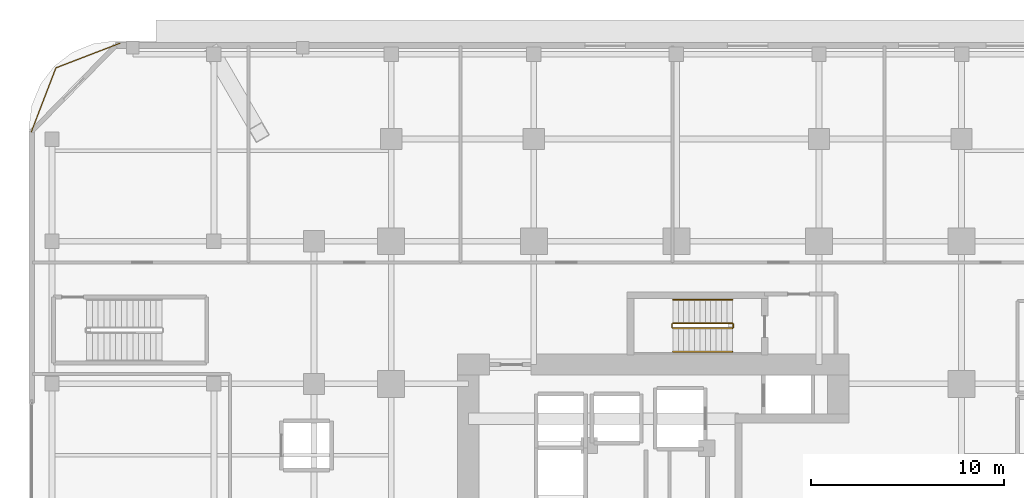
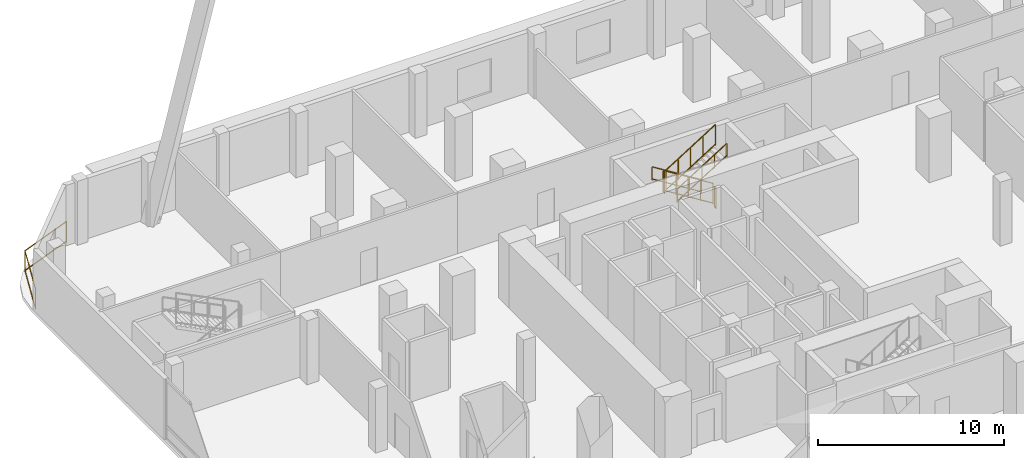
# One storey, part 16 of 19: 7 railings.
"""IFC4 building model written with IfcOpenShell, lengths in metres."""

from ifc_helpers import new_model, si_unit, direction, frame, origin, origin_2d, place, context, subcontext, project, spatial, rectangle, extrude, material, type_object, element, save


model = new_model("IFC4")

# Units and contexts
model_context = context("Model", 3, precision=1e-05, world=origin(), true_north=direction((0.0, 1.0)))
body_context = subcontext(model_context, "Body", "Model", "MODEL_VIEW")
ifc_project = project(units=[si_unit("LENGTHUNIT", "METRE"), si_unit("AREAUNIT", "SQUARE_METRE"), si_unit("VOLUMEUNIT", "CUBIC_METRE"), si_unit("PLANEANGLEUNIT", "RADIAN"), si_unit("MASSUNIT", "GRAM", prefix="KILO")], contexts=[model_context])

# Site, building, storey
site_placement = place(None, origin())
site = spatial("IfcSite", under=ifc_project, at=site_placement, CompositionType="ELEMENT")
building_placement = place(site_placement, origin())
building = spatial("IfcBuilding", under=site, at=building_placement, Name="Khorvyn Point Tower", CompositionType="ELEMENT")
storey_placement = place(building_placement, frame((0.0, 0.0, 4.800048828125)))
storey = spatial("IfcBuildingStorey", under=building, at=storey_placement, Name="L02", CompositionType="ELEMENT", Elevation=4.800048828125)

# Railings
ifc_material_1 = material(Name="Anodised aluminium 6063-T6 and laminated safety glass", Category="aluminium")
railing_type_1 = type_object("IfcRailingType", Name="Laminated Glass and Aluminium Balcony Guardrail 1400", PredefinedType="BALUSTRADE", material=ifc_material_1)
railing_1_placement = place(storey_placement, frame((-28.870849609375, 25.073974609375, 0.0)))
element("IfcRailing", 1, at=railing_1_placement, inside=storey, type_object=railing_type_1, Name="L02 Rounded Corner Edge Guardrail NW", PredefinedType="BALUSTRADE", context=body_context, shape_type="SweptSolid", body=[
    extrude(rectangle(XDim=0.048095703125, YDim=0.048095703125, at=origin_2d()), frame((0.0, 0.0, 1.3759765625), z_axis=(-0.933575007025, -0.358382067435, 0.0), x_axis=(0.358382067435, -0.933575007025, 0.0)), (0.0, 0.0, 1.0), 3.562744140625),
    extrude(rectangle(XDim=0.048095703125, YDim=0.048095703125, at=origin_2d()), frame((0.0, 0.0, 0.080078125), z_axis=(-0.933575007025, -0.358382067435, 0.0), x_axis=(0.358382067435, -0.933575007025, 0.0)), (0.0, 0.0, 1.0), 3.562744140625),
    extrude(rectangle(XDim=0.048095703125, YDim=0.048095703125, at=origin_2d()), frame((-3.326171875, -1.27685546875, 1.3759765625), z_axis=(-0.35841886047, -0.933560882031, 0.0), x_axis=(0.933560882031, -0.35841886047, 0.0)), (0.0, 0.0, 1.0), 3.563232421875),
    extrude(rectangle(XDim=0.048095703125, YDim=0.048095703125, at=origin_2d()), frame((-3.326171875, -1.27685546875, 0.080078125), z_axis=(-0.35841886047, -0.933560882031, 0.0), x_axis=(0.933560882031, -0.35841886047, 0.0)), (0.0, 0.0, 1.0), 3.563232421875),
    extrude(rectangle(XDim=0.0419921875, YDim=0.0419921875, at=origin_2d()), origin(), (0.0, 0.0, 1.0), 1.351806640625),
    extrude(rectangle(XDim=0.0419921875, YDim=0.0419921875, at=origin_2d()), frame((-3.326171875, -1.27685546875, 0.0)), (0.0, 0.0, 1.0), 1.351806640625),
    extrude(rectangle(XDim=0.0419921875, YDim=0.0419921875, at=origin_2d()), frame((-4.603271484375, -4.603271484375, 0.0)), (0.0, 0.0, 1.0), 1.351806640625),
])
ifc_material_2 = material(Name="Stainless steel 1.4301", Category="steel")
railing_type_2 = type_object("IfcRailingType", Name="Stainless Steel 304 Stair Pitch Handrail 900", PredefinedType="HANDRAIL", material=ifc_material_2)
railing_2_placement = place(storey_placement, frame((2.89990234375, 11.77001953125, 0.175048828125)))
element("IfcRailing", 2, at=railing_2_placement, inside=storey, type_object=railing_type_2, Name="L02 ST-02 stair handrail 1", PredefinedType="HANDRAIL", context=body_context, shape_type="SweptSolid", body=[
    extrude(rectangle(XDim=0.048095703125, YDim=0.048095703125, at=origin_2d()), frame((0.0, 0.0, 0.8759765625), z_axis=(-0.848009633417, 0.0, 0.529980812513), x_axis=(0.0, -1.0, 0.0)), (0.0, 0.0, 1.0), 3.6318359375),
    extrude(rectangle(XDim=0.048095703125, YDim=0.048095703125, at=origin_2d()), frame((0.0, 0.0, 0.080078125), z_axis=(-0.848009633417, 0.0, 0.529980812513), x_axis=(0.0, -1.0, 0.0)), (0.0, 0.0, 1.0), 3.6318359375),
    extrude(rectangle(XDim=0.0419921875, YDim=0.0419921875, at=origin_2d()), origin(), (0.0, 0.0, 1.0), 0.851806640625),
    extrude(rectangle(XDim=0.0419921875, YDim=0.0419921875, at=origin_2d()), frame((-0.77001953125, 0.0, 0.481201171875)), (0.0, 0.0, 1.0), 0.851806640625),
    extrude(rectangle(XDim=0.0419921875, YDim=0.0419921875, at=origin_2d()), frame((-1.5400390625, 0.0, 0.96240234375)), (0.0, 0.0, 1.0), 0.851806640625),
    extrude(rectangle(XDim=0.0419921875, YDim=0.0419921875, at=origin_2d()), frame((-2.309814453125, 0.0, 1.443603515625)), (0.0, 0.0, 1.0), 0.851806640625),
    extrude(rectangle(XDim=0.0419921875, YDim=0.0419921875, at=origin_2d()), frame((-3.079833984375, 0.0, 1.9248046875)), (0.0, 0.0, 1.0), 0.851806640625),
])
railing_3_placement = place(storey_placement, frame((-0.179931640625, 9.070068359375, 2.27490234375)))
element("IfcRailing", 3, at=railing_3_placement, inside=storey, type_object=railing_type_2, Name="L02 ST-02 stair handrail 2", PredefinedType="HANDRAIL", context=body_context, shape_type="SweptSolid", body=[
    extrude(rectangle(XDim=0.048095703125, YDim=0.048095703125, at=origin_2d()), frame((0.0, 0.0, 0.8759765625), z_axis=(0.847979421464, 0.0, 0.530029150871), x_axis=(0.0, 1.0, 0.0)), (0.0, 0.0, 1.0), 3.632080078125),
    extrude(rectangle(XDim=0.048095703125, YDim=0.048095703125, at=origin_2d()), frame((0.0, 0.0, 0.080078125), z_axis=(0.847979421464, 0.0, 0.530029150871), x_axis=(0.0, 1.0, 0.0)), (0.0, 0.0, 1.0), 3.632080078125),
    extrude(rectangle(XDim=0.0419921875, YDim=0.0419921875, at=origin_2d()), origin(), (0.0, 0.0, 1.0), 0.851806640625),
    extrude(rectangle(XDim=0.0419921875, YDim=0.0419921875, at=origin_2d()), frame((0.77001953125, 0.0, 0.481201171875)), (0.0, 0.0, 1.0), 0.851806640625),
    extrude(rectangle(XDim=0.0419921875, YDim=0.0419921875, at=origin_2d()), frame((1.5400390625, 0.0, 0.96240234375)), (0.0, 0.0, 1.0), 0.851806640625),
    extrude(rectangle(XDim=0.0419921875, YDim=0.0419921875, at=origin_2d()), frame((2.309814453125, 0.0, 1.44384765625)), (0.0, 0.0, 1.0), 0.851806640625),
    extrude(rectangle(XDim=0.0419921875, YDim=0.0419921875, at=origin_2d()), frame((3.079833984375, 0.0, 1.925048828125)), (0.0, 0.0, 1.0), 0.851806640625),
])
railing_type_3 = type_object("IfcRailingType", Name="Stainless Steel 304 Stair Well Guardrail 1400", PredefinedType="GUARDRAIL", material=ifc_material_2)
railing_4_placement = place(storey_placement, frame((2.89990234375, 10.550048828125, 0.175048828125)))
element("IfcRailing", 4, at=railing_4_placement, inside=storey, type_object=railing_type_3, Name="L02 ST-02 stair guard 1", PredefinedType="GUARDRAIL", context=body_context, shape_type="SweptSolid", body=[
    extrude(rectangle(XDim=0.048095703125, YDim=0.048095703125, at=origin_2d()), frame((0.0, 0.0, 1.3759765625), z_axis=(-0.848009633417, 0.0, 0.529980812513), x_axis=(0.0, -1.0, 0.0)), (0.0, 0.0, 1.0), 3.6318359375),
    extrude(rectangle(XDim=0.048095703125, YDim=0.048095703125, at=origin_2d()), frame((0.0, 0.0, 0.080078125), z_axis=(-0.848009633417, 0.0, 0.529980812513), x_axis=(0.0, -1.0, 0.0)), (0.0, 0.0, 1.0), 3.6318359375),
    extrude(rectangle(XDim=0.0419921875, YDim=0.0419921875, at=origin_2d()), origin(), (0.0, 0.0, 1.0), 1.351806640625),
    extrude(rectangle(XDim=0.0419921875, YDim=0.0419921875, at=origin_2d()), frame((-0.77001953125, 0.0, 0.481201171875)), (0.0, 0.0, 1.0), 1.351806640625),
    extrude(rectangle(XDim=0.0419921875, YDim=0.0419921875, at=origin_2d()), frame((-1.5400390625, 0.0, 0.96240234375)), (0.0, 0.0, 1.0), 1.351806640625),
    extrude(rectangle(XDim=0.0419921875, YDim=0.0419921875, at=origin_2d()), frame((-2.309814453125, 0.0, 1.443603515625)), (0.0, 0.0, 1.0), 1.351806640625),
    extrude(rectangle(XDim=0.0419921875, YDim=0.0419921875, at=origin_2d()), frame((-3.079833984375, 0.0, 1.9248046875)), (0.0, 0.0, 1.0), 1.351806640625),
])
railing_5_placement = place(storey_placement, frame((-0.22998046875, 10.5, 2.099853515625)))
element("IfcRailing", 5, at=railing_5_placement, inside=storey, type_object=railing_type_3, Name="L02 ST-02 stair guard 2", PredefinedType="GUARDRAIL", context=body_context, shape_type="SweptSolid", body=[
    extrude(rectangle(XDim=0.048095703125, YDim=0.048095703125, at=origin_2d()), frame((0.0, 0.0, 1.3759765625), z_axis=(0.0, -1.0, 0.0), x_axis=(1.0, 0.0, 0.0)), (0.0, 0.0, 1.0), 0.159912109375),
    extrude(rectangle(XDim=0.048095703125, YDim=0.048095703125, at=origin_2d()), frame((0.0, 0.0, 0.080078125), z_axis=(0.0, -1.0, 0.0), x_axis=(1.0, 0.0, 0.0)), (0.0, 0.0, 1.0), 0.159912109375),
    extrude(rectangle(XDim=0.0419921875, YDim=0.0419921875, at=origin_2d()), origin(), (0.0, 0.0, 1.0), 1.351806640625),
    extrude(rectangle(XDim=0.0419921875, YDim=0.0419921875, at=origin_2d()), frame((0.0, -0.159912109375, 0.0)), (0.0, 0.0, 1.0), 1.351806640625),
])
railing_6_placement = place(storey_placement, frame((-0.179931640625, 10.2900390625, 2.27490234375)))
element("IfcRailing", 6, at=railing_6_placement, inside=storey, type_object=railing_type_3, Name="L02 ST-02 stair guard 3", PredefinedType="GUARDRAIL", context=body_context, shape_type="SweptSolid", body=[
    extrude(rectangle(XDim=0.048095703125, YDim=0.048095703125, at=origin_2d()), frame((0.0, 0.0, 1.3759765625), z_axis=(0.847979421464, 0.0, 0.530029150871), x_axis=(0.0, 1.0, 0.0)), (0.0, 0.0, 1.0), 3.632080078125),
    extrude(rectangle(XDim=0.048095703125, YDim=0.048095703125, at=origin_2d()), frame((0.0, 0.0, 0.080078125), z_axis=(0.847979421464, 0.0, 0.530029150871), x_axis=(0.0, 1.0, 0.0)), (0.0, 0.0, 1.0), 3.632080078125),
    extrude(rectangle(XDim=0.0419921875, YDim=0.0419921875, at=origin_2d()), origin(), (0.0, 0.0, 1.0), 1.351806640625),
    extrude(rectangle(XDim=0.0419921875, YDim=0.0419921875, at=origin_2d()), frame((0.77001953125, 0.0, 0.481201171875)), (0.0, 0.0, 1.0), 1.351806640625),
    extrude(rectangle(XDim=0.0419921875, YDim=0.0419921875, at=origin_2d()), frame((1.5400390625, 0.0, 0.96240234375)), (0.0, 0.0, 1.0), 1.351806640625),
    extrude(rectangle(XDim=0.0419921875, YDim=0.0419921875, at=origin_2d()), frame((2.309814453125, 0.0, 1.44384765625)), (0.0, 0.0, 1.0), 1.351806640625),
    extrude(rectangle(XDim=0.0419921875, YDim=0.0419921875, at=origin_2d()), frame((3.079833984375, 0.0, 1.925048828125)), (0.0, 0.0, 1.0), 1.351806640625),
])
railing_7_placement = place(storey_placement, frame((2.949951171875, 10.5, 0.0)))
element("IfcRailing", 7, at=railing_7_placement, inside=storey, type_object=railing_type_3, Name="L02 ST-02 stair guard 4", PredefinedType="GUARDRAIL", context=body_context, shape_type="SweptSolid", body=[
    extrude(rectangle(XDim=0.048095703125, YDim=0.048095703125, at=origin_2d()), frame((0.0, 0.0, 1.3759765625), z_axis=(0.0, -1.0, 0.0), x_axis=(1.0, 0.0, 0.0)), (0.0, 0.0, 1.0), 0.159912109375),
    extrude(rectangle(XDim=0.048095703125, YDim=0.048095703125, at=origin_2d()), frame((0.0, 0.0, 0.080078125), z_axis=(0.0, -1.0, 0.0), x_axis=(1.0, 0.0, 0.0)), (0.0, 0.0, 1.0), 0.159912109375),
    extrude(rectangle(XDim=0.0419921875, YDim=0.0419921875, at=origin_2d()), origin(), (0.0, 0.0, 1.0), 1.351806640625),
    extrude(rectangle(XDim=0.0419921875, YDim=0.0419921875, at=origin_2d()), frame((0.0, -0.159912109375, 0.0)), (0.0, 0.0, 1.0), 1.351806640625),
])

save(model, "model.ifc")
